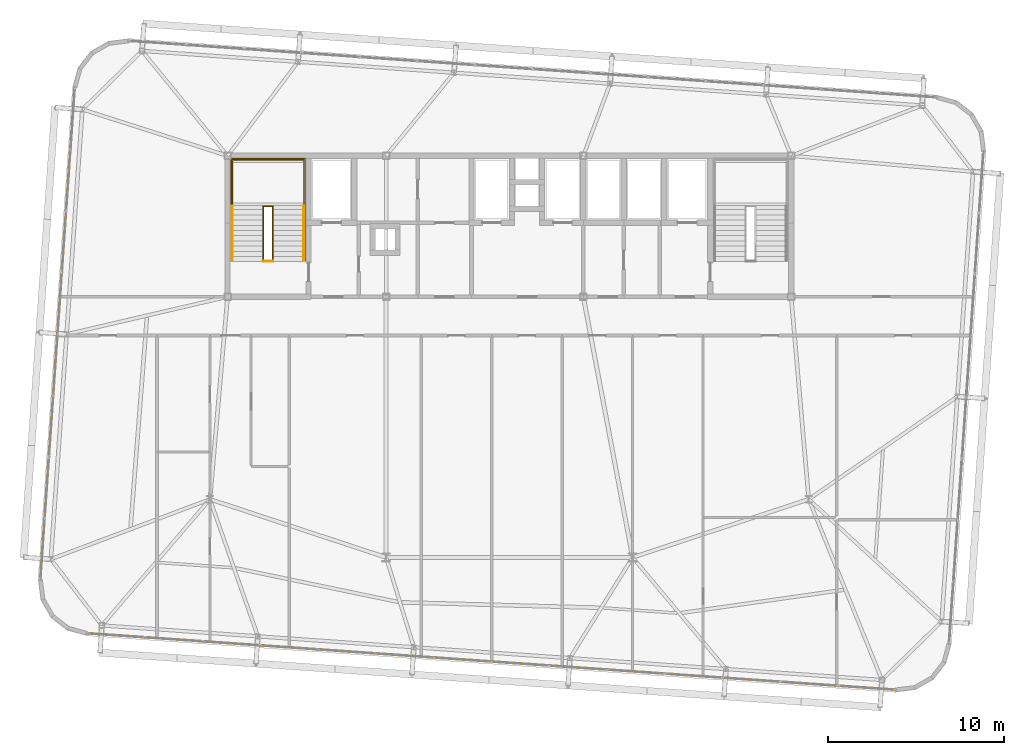
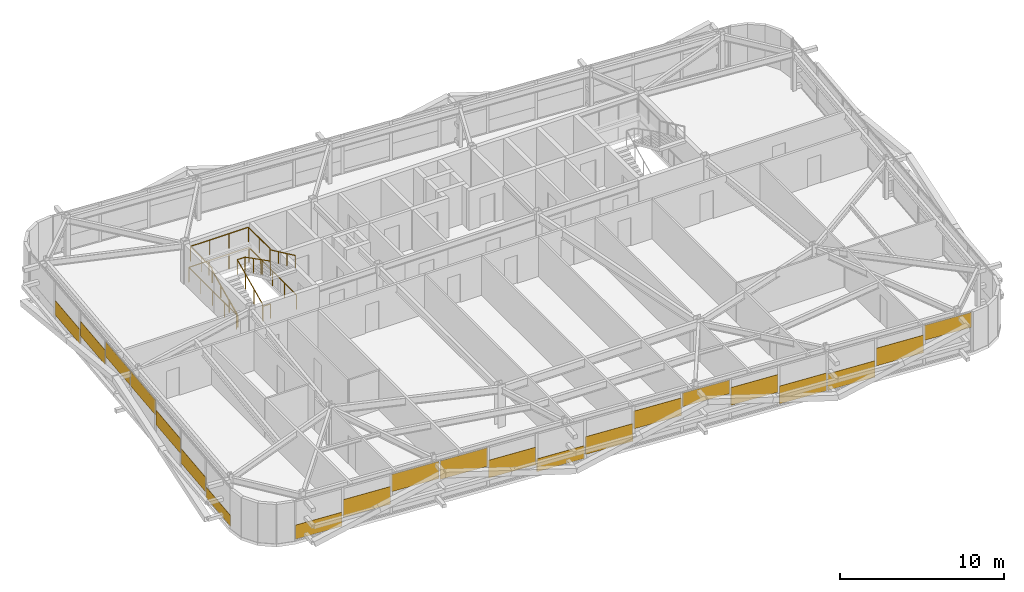
# One storey, part 45 of 47: 21 coverings, 6 railings.
"""IFC4 building model written with IfcOpenShell, lengths in metres."""

from ifc_helpers import new_model, si_unit, direction, frame, origin, origin_2d, place, context, subcontext, project, spatial, rectangle, extrude, source, transform, mapped, material, layer, layer_set, type_object, element, save


model = new_model("IFC4")

# Units and contexts
model_context = context("Model", 3, precision=1e-05, world=origin(), true_north=direction((0.0, 1.0)))
body_context = subcontext(model_context, "Body", "Model", "MODEL_VIEW")
ifc_project = project(units=[si_unit("LENGTHUNIT", "METRE"), si_unit("AREAUNIT", "SQUARE_METRE"), si_unit("VOLUMEUNIT", "CUBIC_METRE"), si_unit("PLANEANGLEUNIT", "RADIAN"), si_unit("MASSUNIT", "GRAM", prefix="KILO")], contexts=[model_context])

# Site, building, storey
site_placement = place(None, origin())
site = spatial("IfcSite", under=ifc_project, at=site_placement, CompositionType="ELEMENT")
building_placement = place(site_placement, origin())
building = spatial("IfcBuilding", under=site, at=building_placement, Name="Taldren Reach Tower", CompositionType="ELEMENT")
storey_placement = place(building_placement, frame((0.0, 0.0, 139.300048828125)))
storey = spatial("IfcBuildingStorey", under=building, at=storey_placement, Name="L42", CompositionType="ELEMENT", Elevation=139.300048828125)

# Railings
ifc_material_1 = material(Name="Steel Gr 350 (C350L0)", Category="steel")
ifc_layer_1 = layer(ifc_material_1, 0.050048828125)
ifc_layer_set_1 = layer_set([ifc_layer_1], Name="Steel Gr 350 (C350L0)")
railing_type_1 = type_object("IfcRailingType", Name="RL-STAIR-GR", PredefinedType="GUARDRAIL", material=ifc_layer_set_1)
railing_1_placement = place(storey_placement, frame((19.260009765625, 29.135009765625, 1.574951171875)))
element("IfcRailing", 1, at=railing_1_placement, inside=storey, type_object=railing_type_1, Name="Stair half-landing perimeter guard ST1-L42", PredefinedType="GUARDRAIL", context=body_context, shape_type="SweptSolid", body=[
    extrude(rectangle(XDim=0.047852, YDim=0.047852, at=origin_2d()), frame((0.0, 0.0, 1.09619140625), z_axis=(0.0, 1.0, 0.0), x_axis=(-1.0, 0.0, 0.0)), (0.0, 0.0, 1.0), 2.64501953125),
    extrude(rectangle(XDim=0.047852, YDim=0.047852, at=origin_2d()), frame((0.0, 2.64501953125, 1.09619140625), z_axis=(1.0, 0.0, 0.0), x_axis=(0.0, 1.0, 0.0)), (0.0, 0.0, 1.0), 4.080078125),
    extrude(rectangle(XDim=0.047852, YDim=0.047852, at=origin_2d()), frame((4.080078125, 2.64501953125, 1.09619140625), z_axis=(0.0, -1.0, 0.0), x_axis=(1.0, 0.0, 0.0)), (0.0, 0.0, 1.0), 2.64501953125),
    extrude(rectangle(XDim=0.041992, YDim=0.041992, at=origin_2d()), origin(), (0.0, 0.0, 1.0), 1.072021484375),
    extrude(rectangle(XDim=0.041992, YDim=0.041992, at=origin_2d()), frame((0.0, 1.322509765625, 0.0)), (0.0, 0.0, 1.0), 1.072021484375),
    extrude(rectangle(XDim=0.041992, YDim=0.041992, at=origin_2d()), frame((0.0, 2.64501953125, 0.0)), (0.0, 0.0, 1.0), 1.072021484375),
    extrude(rectangle(XDim=0.041992, YDim=0.041992, at=origin_2d()), frame((1.360107421875, 2.64501953125, 0.0)), (0.0, 0.0, 1.0), 1.072021484375),
    extrude(rectangle(XDim=0.041992, YDim=0.041992, at=origin_2d()), frame((2.719970703125, 2.64501953125, 0.0)), (0.0, 0.0, 1.0), 1.072021484375),
    extrude(rectangle(XDim=0.041992, YDim=0.041992, at=origin_2d()), frame((4.080078125, 2.64501953125, 0.0)), (0.0, 0.0, 1.0), 1.072021484375),
    extrude(rectangle(XDim=0.041992, YDim=0.041992, at=origin_2d()), frame((4.080078125, 1.322509765625, 0.0)), (0.0, 0.0, 1.0), 1.072021484375),
    extrude(rectangle(XDim=0.041992, YDim=0.041992, at=origin_2d()), frame((4.080078125, 0.0, 0.0)), (0.0, 0.0, 1.0), 1.072021484375),
])
railing_2_placement = place(storey_placement, frame((21.030029296875, 26.050048828125, 0.13134765625)))
element("IfcRailing", 2, at=railing_2_placement, inside=storey, type_object=railing_type_1, Name="Stairwell inner guard ST1-L42", PredefinedType="GUARDRAIL", context=body_context, shape_type="SweptSolid", body=[
    extrude(rectangle(XDim=0.047852, YDim=0.047852, at=origin_2d()), frame((0.0, 0.0, 1.09619140625), z_axis=(0.0, 0.905737652094, 0.423838773095), x_axis=(-1.0, 0.0, 0.0)), (0.0, 0.0, 1.0), 3.406005859375),
    extrude(rectangle(XDim=0.047852, YDim=0.047852, at=origin_2d()), frame((0.0, 3.0849609375, 2.53955078125), z_axis=(1.0, 0.0, 0.0), x_axis=(0.0, 1.0, 0.0)), (0.0, 0.0, 1.0), 0.5400390625),
    extrude(rectangle(XDim=0.047852, YDim=0.047852, at=origin_2d()), frame((0.5400390625, 3.0849609375, 2.53955078125), z_axis=(0.0, -0.890645957773, 0.45469745755), x_axis=(1.0, 0.0, 0.0)), (0.0, 0.0, 1.0), 3.463623046875),
    extrude(rectangle(XDim=0.041992, YDim=0.041992, at=origin_2d()), origin(), (0.0, 0.0, 1.0), 1.072021484375),
    extrude(rectangle(XDim=0.041992, YDim=0.041992, at=origin_2d()), frame((0.0, 1.0283203125, 0.481201171875)), (0.0, 0.0, 1.0), 1.072021484375),
    extrude(rectangle(XDim=0.041992, YDim=0.041992, at=origin_2d()), frame((0.0, 2.056640625, 0.96240234375)), (0.0, 0.0, 1.0), 1.072021484375),
    extrude(rectangle(XDim=0.041992, YDim=0.041992, at=origin_2d()), frame((0.0, 3.0849609375, 1.443603515625)), (0.0, 0.0, 1.0), 1.072021484375),
    extrude(rectangle(XDim=0.041992, YDim=0.041992, at=origin_2d()), frame((0.5400390625, 3.0849609375, 1.443603515625)), (0.0, 0.0, 1.0), 1.072021484375),
    extrude(rectangle(XDim=0.041992, YDim=0.041992, at=origin_2d()), frame((0.5400390625, 2.056640625, 1.968505859375)), (0.0, 0.0, 1.0), 1.072021484375),
    extrude(rectangle(XDim=0.041992, YDim=0.041992, at=origin_2d()), frame((0.5400390625, 1.0283203125, 2.49365234375)), (0.0, 0.0, 1.0), 1.072021484375),
    extrude(rectangle(XDim=0.041992, YDim=0.041992, at=origin_2d()), frame((0.5400390625, 0.0, 3.0185546875)), (0.0, 0.0, 1.0), 1.072021484375),
])
railing_3_placement = place(storey_placement, frame((21.030029296875, 26.010009765625, 0.0)))
element("IfcRailing", 3, at=railing_3_placement, inside=storey, type_object=railing_type_1, Name="Stairwell landing slot guard ST1-L42", PredefinedType="GUARDRAIL", context=body_context, shape_type="SweptSolid", body=[
    extrude(rectangle(XDim=0.047852, YDim=0.047852, at=origin_2d()), frame((0.0, 0.0, 1.09619140625), z_axis=(1.0, 0.0, 0.0), x_axis=(0.0, 1.0, 0.0)), (0.0, 0.0, 1.0), 0.5400390625),
    extrude(rectangle(XDim=0.041992, YDim=0.041992, at=origin_2d()), origin(), (0.0, 0.0, 1.0), 1.072021484375),
    extrude(rectangle(XDim=0.041992, YDim=0.041992, at=origin_2d()), frame((0.5400390625, 0.0, 0.0)), (0.0, 0.0, 1.0), 1.072021484375),
])
railing_4_placement = place(storey_placement, frame((19.18994140625, 26.050048828125, 0.0)))
element("IfcRailing", 4, at=railing_4_placement, inside=storey, type_object=railing_type_1, Name="Stairwell floor opening guard ST1-L42", PredefinedType="GUARDRAIL", context=body_context, shape_type="SweptSolid", body=[
    extrude(rectangle(XDim=0.047852, YDim=0.047852, at=origin_2d()), frame((0.0, 0.0, 1.09619140625), z_axis=(0.0, 1.0, 0.0), x_axis=(-1.0, 0.0, 0.0)), (0.0, 0.0, 1.0), 5.800048828125),
    extrude(rectangle(XDim=0.047852, YDim=0.047852, at=origin_2d()), frame((0.0, 5.800048828125, 1.09619140625), z_axis=(1.0, 0.0, 0.0), x_axis=(0.0, 1.0, 0.0)), (0.0, 0.0, 1.0), 4.219970703125),
    extrude(rectangle(XDim=0.047852, YDim=0.047852, at=origin_2d()), frame((4.219970703125, 5.800048828125, 1.09619140625), z_axis=(0.0, -1.0, 0.0), x_axis=(1.0, 0.0, 0.0)), (0.0, 0.0, 1.0), 5.800048828125),
    extrude(rectangle(XDim=0.041992, YDim=0.041992, at=origin_2d()), origin(), (0.0, 0.0, 1.0), 1.072021484375),
    extrude(rectangle(XDim=0.041992, YDim=0.041992, at=origin_2d()), frame((0.0, 1.449951171875, 0.0)), (0.0, 0.0, 1.0), 1.072021484375),
    extrude(rectangle(XDim=0.041992, YDim=0.041992, at=origin_2d()), frame((0.0, 2.89990234375, 0.0)), (0.0, 0.0, 1.0), 1.072021484375),
    extrude(rectangle(XDim=0.041992, YDim=0.041992, at=origin_2d()), frame((0.0, 4.35009765625, 0.0)), (0.0, 0.0, 1.0), 1.072021484375),
    extrude(rectangle(XDim=0.041992, YDim=0.041992, at=origin_2d()), frame((0.0, 5.800048828125, 0.0)), (0.0, 0.0, 1.0), 1.072021484375),
    extrude(rectangle(XDim=0.041992, YDim=0.041992, at=origin_2d()), frame((1.40673828125, 5.800048828125, 0.0)), (0.0, 0.0, 1.0), 1.072021484375),
    extrude(rectangle(XDim=0.041992, YDim=0.041992, at=origin_2d()), frame((2.813232421875, 5.800048828125, 0.0)), (0.0, 0.0, 1.0), 1.072021484375),
    extrude(rectangle(XDim=0.041992, YDim=0.041992, at=origin_2d()), frame((4.219970703125, 5.800048828125, 0.0)), (0.0, 0.0, 1.0), 1.072021484375),
    extrude(rectangle(XDim=0.041992, YDim=0.041992, at=origin_2d()), frame((4.219970703125, 4.35009765625, 0.0)), (0.0, 0.0, 1.0), 1.072021484375),
    extrude(rectangle(XDim=0.041992, YDim=0.041992, at=origin_2d()), frame((4.219970703125, 2.89990234375, 0.0)), (0.0, 0.0, 1.0), 1.072021484375),
    extrude(rectangle(XDim=0.041992, YDim=0.041992, at=origin_2d()), frame((4.219970703125, 1.449951171875, 0.0)), (0.0, 0.0, 1.0), 1.072021484375),
    extrude(rectangle(XDim=0.041992, YDim=0.041992, at=origin_2d()), frame((4.219970703125, 0.0, 0.0)), (0.0, 0.0, 1.0), 1.072021484375),
])
ifc_material_2 = material(Name="Stainless Steel Gr 316", Category="steel")
ifc_layer_2 = layer(ifc_material_2, 0.048095703125)
ifc_layer_set_2 = layer_set([ifc_layer_2], Name="Stainless Steel Gr 316")
railing_type_2 = type_object("IfcRailingType", Name="RL-STAIR-HR", PredefinedType="HANDRAIL", material=ifc_layer_set_2)
railing_5_placement = place(storey_placement, frame((19.27001953125, 26.050048828125, 0.13134765625)))
element("IfcRailing", 5, at=railing_5_placement, inside=storey, type_object=railing_type_2, Name="Stair flight handrail ST1-L42-1", PredefinedType="HANDRAIL", context=body_context, shape_type="SweptSolid", body=[
    extrude(rectangle(XDim=0.047852, YDim=0.047852, at=origin_2d()), frame((0.0, 0.0, 0.89599609375), z_axis=(0.0, 0.905737652094, 0.423838773095), x_axis=(-1.0, 0.0, 0.0)), (0.0, 0.0, 1.0), 3.406005859375),
    extrude(rectangle(XDim=0.041992, YDim=0.041992, at=origin_2d()), origin(), (0.0, 0.0, 1.0), 0.871826171875),
    extrude(rectangle(XDim=0.041992, YDim=0.041992, at=origin_2d()), frame((0.0, 1.0283203125, 0.481201171875)), (0.0, 0.0, 1.0), 0.871826171875),
    extrude(rectangle(XDim=0.041992, YDim=0.041992, at=origin_2d()), frame((0.0, 2.056640625, 0.96240234375)), (0.0, 0.0, 1.0), 0.871826171875),
    extrude(rectangle(XDim=0.041992, YDim=0.041992, at=origin_2d()), frame((0.0, 3.0849609375, 1.443603515625)), (0.0, 0.0, 1.0), 0.871826171875),
])
railing_6_placement = place(storey_placement, frame((23.330078125, 29.135009765625, 1.7060546875)))
element("IfcRailing", 6, at=railing_6_placement, inside=storey, type_object=railing_type_2, Name="Stair flight handrail ST1-L42-2", PredefinedType="HANDRAIL", context=body_context, shape_type="SweptSolid", body=[
    extrude(rectangle(XDim=0.047852, YDim=0.047852, at=origin_2d()), frame((0.0, 0.0, 0.89599609375), z_axis=(0.0, -0.905710134349, 0.423897573167), x_axis=(1.0, 0.0, 0.0)), (0.0, 0.0, 1.0), 3.406005859375),
    extrude(rectangle(XDim=0.041992, YDim=0.041992, at=origin_2d()), origin(), (0.0, 0.0, 1.0), 0.871826171875),
    extrude(rectangle(XDim=0.041992, YDim=0.041992, at=origin_2d()), frame((0.0, -1.0283203125, 0.481201171875)), (0.0, 0.0, 1.0), 0.871826171875),
    extrude(rectangle(XDim=0.041992, YDim=0.041992, at=origin_2d()), frame((0.0, -2.056640625, 0.962646484375)), (0.0, 0.0, 1.0), 0.871826171875),
    extrude(rectangle(XDim=0.041992, YDim=0.041992, at=origin_2d()), frame((0.0, -3.0849609375, 1.44384765625)), (0.0, 0.0, 1.0), 0.871826171875),
])

# Coverings
ifc_material_3 = material(Name="Pale Champagne Fluoropolymer Aluminium Spandrel Cladding", Category="aluminium")
ifc_layer_3 = layer(ifc_material_3, 0.0439453125)
ifc_layer_set_3 = layer_set([ifc_layer_3], Name="Pale Champagne Fluoropolymer Aluminium Spandrel Cladding")
covering_type = type_object("IfcCoveringType", Name="CV-CLAD-044", PredefinedType="CLADDING", material=ifc_layer_set_3)
shared_shape_1 = source(origin(), body_context, "Body", "SweptSolid", [
    extrude(rectangle(XDim=3.1806640625, YDim=0.0439453125, at=origin_2d()), origin(), (0.0, 0.0, 1.0), 1.05322265625),
])
covering_1_placement = place(storey_placement, frame((12.686279296875, 4.76953125, 0.054931640625), z_axis=(0.0, 0.0, 1.0), x_axis=(0.99756404731, -0.06975651593, 0.0)))
element("IfcCovering", 7, at=covering_1_placement, inside=storey, type_object=covering_type, Name="Diagrid closure cladding strip CW-4 panel 1.1 1", PredefinedType="CLADDING", context=body_context, shape_type="MappedRepresentation", body=[
    mapped(shared_shape_1, transform((0.0, 0.0, 0.0), scale=1.0)),
])
shared_shape_2 = source(origin(), body_context, "Body", "SweptSolid", [
    extrude(rectangle(XDim=3.2158203125, YDim=0.0439453125, at=origin_2d()), origin(), (0.0, 0.0, 1.0), 1.31494140625),
])
for number, where, z_axis, x_axis, name in (
    (8, (15.946533203125, 4.541748046875, 0.692138671875), (0.0, 0.0, 1.0), (0.99756404731, -0.06975651593, 0.0), "Diagrid closure cladding strip CW-4 panel 2.1 1"),
    (9, (25.779541015625, 3.85400390625, 0.59521484375), (0.0, 0.0, 1.0), (0.99756404731, -0.06975651593, 0.0), "Diagrid closure cladding strip CW-4 panel 5.1 1"),
    (10, (32.3349609375, 3.395751953125, 0.327880859375), (0.0, 0.0, 1.0), (0.99756404731, -0.06975651593, 0.0), "Diagrid closure cladding strip CW-4 panel 7.1 1"),
    (11, (35.61279296875, 3.16650390625, 1.22705078125), (0.0, 0.0, 1.0), (0.99756404731, -0.06975651593, 0.0), "Diagrid closure cladding strip CW-4 panel 8.1 1"),
    (12, (42.168212890625, 2.7080078125, 0.959716796875), (0.0, 0.0, 1.0), (0.99756404731, -0.06975651593, 0.0), "Diagrid closure cladding strip CW-4 panel 10.1 1"),
    (13, (52.001220703125, 2.0205078125, 0.86279296875), (0.0, 0.0, 1.0), (0.99756404731, -0.06975651593, 0.0), "Diagrid closure cladding strip CW-4 panel 13.1 1"),
):
    element("IfcCovering", number, at=place(storey_placement, frame(where, z_axis=z_axis, x_axis=x_axis)), inside=storey, type_object=covering_type, Name=name, PredefinedType="CLADDING", context=body_context, shape_type="MappedRepresentation", body=[
        mapped(shared_shape_2, transform((0.0, 0.0, 0.0), scale=1.0)),
    ])
shared_shape_3 = source(origin(), body_context, "Body", "SweptSolid", [
    extrude(rectangle(XDim=3.2158203125, YDim=0.0439453125, at=origin_2d()), origin(), (0.0, 0.0, 1.0), 1.28369140625),
])
covering_2_placement = place(storey_placement, frame((19.22412109375, 4.3125, 1.59130859375), z_axis=(0.0, 0.0, 1.0), x_axis=(0.99756404731, -0.06975651593, 0.0)))
element("IfcCovering", 14, at=covering_2_placement, inside=storey, type_object=covering_type, Name="Diagrid closure cladding strip CW-4 panel 3.1 1", PredefinedType="CLADDING", context=body_context, shape_type="MappedRepresentation", body=[
    mapped(shared_shape_3, transform((0.0, 0.0, 0.0), scale=1.0)),
])
shared_shape_4 = source(origin(), body_context, "Body", "SweptSolid", [
    extrude(rectangle(XDim=3.2158203125, YDim=0.0439453125, at=origin_2d()), origin(), (0.0, 0.0, 1.0), 1.380615234375),
])
covering_3_placement = place(storey_placement, frame((22.501953125, 4.083251953125, 1.494140625), z_axis=(0.0, 0.0, 1.0), x_axis=(0.99756404731, -0.06975651593, 0.0)))
element("IfcCovering", 15, at=covering_3_placement, inside=storey, type_object=covering_type, Name="Diagrid closure cladding strip CW-4 panel 4.1 1", PredefinedType="CLADDING", context=body_context, shape_type="MappedRepresentation", body=[
    mapped(shared_shape_4, transform((0.0, 0.0, 0.0), scale=1.0)),
])
shared_shape_5 = source(origin(), body_context, "Body", "SweptSolid", [
    extrude(rectangle(XDim=3.2158203125, YDim=0.0439453125, at=origin_2d()), origin(), (0.0, 0.0, 1.0), 0.956298828125),
])
covering_4_placement = place(storey_placement, frame((29.057373046875, 3.624755859375, 0.0546875), z_axis=(0.0, 0.0, 1.0), x_axis=(0.99756404731, -0.06975651593, 0.0)))
element("IfcCovering", 16, at=covering_4_placement, inside=storey, type_object=covering_type, Name="Diagrid closure cladding strip CW-4 panel 6.1 1", PredefinedType="CLADDING", context=body_context, shape_type="MappedRepresentation", body=[
    mapped(shared_shape_5, transform((0.0, 0.0, 0.0), scale=1.0)),
])
shared_shape_6 = source(origin(), body_context, "Body", "SweptSolid", [
    extrude(rectangle(XDim=3.2158203125, YDim=0.0439453125, at=origin_2d()), origin(), (0.0, 0.0, 1.0), 1.01611328125),
])
covering_5_placement = place(storey_placement, frame((38.890380859375, 2.937255859375, 1.85888671875), z_axis=(0.0, 0.0, 1.0), x_axis=(0.99756404731, -0.06975651593, 0.0)))
element("IfcCovering", 17, at=covering_5_placement, inside=storey, type_object=covering_type, Name="Diagrid closure cladding strip CW-4 panel 9.1 1", PredefinedType="CLADDING", context=body_context, shape_type="MappedRepresentation", body=[
    mapped(shared_shape_6, transform((0.0, 0.0, 0.0), scale=1.0)),
])
shared_shape_7 = source(origin(), body_context, "Body", "SweptSolid", [
    extrude(rectangle(XDim=3.2158203125, YDim=0.0439453125, at=origin_2d()), origin(), (0.0, 0.0, 1.0), 1.320556640625),
])
covering_6_placement = place(storey_placement, frame((45.44580078125, 2.478759765625, 0.05517578125), z_axis=(0.0, 0.0, 1.0), x_axis=(0.99756404731, -0.06975651593, 0.0)))
element("IfcCovering", 18, at=covering_6_placement, inside=storey, type_object=covering_type, Name="Diagrid closure cladding strip CW-4 panel 11.1 1", PredefinedType="CLADDING", context=body_context, shape_type="MappedRepresentation", body=[
    mapped(shared_shape_7, transform((0.0, 0.0, 0.0), scale=1.0)),
])
shared_shape_8 = source(origin(), body_context, "Body", "SweptSolid", [
    extrude(rectangle(XDim=3.2158203125, YDim=0.0439453125, at=origin_2d()), origin(), (0.0, 0.0, 1.0), 1.2236328125),
])
covering_7_placement = place(storey_placement, frame((48.7236328125, 2.249755859375, 0.054931640625), z_axis=(0.0, 0.0, 1.0), x_axis=(0.99756404731, -0.06975651593, 0.0)))
element("IfcCovering", 19, at=covering_7_placement, inside=storey, type_object=covering_type, Name="Diagrid closure cladding strip CW-4 panel 12.1 1", PredefinedType="CLADDING", context=body_context, shape_type="MappedRepresentation", body=[
    mapped(shared_shape_8, transform((0.0, 0.0, 0.0), scale=1.0)),
])
shared_shape_9 = source(origin(), body_context, "Body", "SweptSolid", [
    extrude(rectangle(XDim=3.1806640625, YDim=0.0439453125, at=origin_2d()), origin(), (0.0, 0.0, 1.0), 1.11328125),
])
covering_8_placement = place(storey_placement, frame((55.261474609375, 1.79248046875, 1.76171875), z_axis=(0.0, 0.0, 1.0), x_axis=(0.99756404731, -0.06975651593, 0.0)))
element("IfcCovering", 20, at=covering_8_placement, inside=storey, type_object=covering_type, Name="Diagrid closure cladding strip CW-4 panel 14.1 1", PredefinedType="CLADDING", context=body_context, shape_type="MappedRepresentation", body=[
    mapped(shared_shape_9, transform((0.0, 0.0, 0.0), scale=1.0)),
])
shared_shape_10 = source(origin(), body_context, "Body", "SweptSolid", [
    extrude(rectangle(XDim=3.39501953125, YDim=0.0439453125, at=origin_2d()), origin(), (0.0, 0.0, 1.0), 0.80859375),
])
covering_9_placement = place(storey_placement, frame((8.499755859375, 9.701171875, 0.054931640625), z_axis=(0.0, 0.0, 1.0), x_axis=(-0.069756437251, -0.997564052812, 0.0)))
element("IfcCovering", 21, at=covering_9_placement, inside=storey, type_object=covering_type, Name="Diagrid closure cladding strip CW-4 panel 8.1 1", PredefinedType="CLADDING", context=body_context, shape_type="MappedRepresentation", body=[
    mapped(shared_shape_10, transform((0.0, 0.0, 0.0), scale=1.0)),
])
shared_shape_11 = source(origin(), body_context, "Body", "SweptSolid", [
    extrude(rectangle(XDim=3.429931640625, YDim=0.0439453125, at=origin_2d()), origin(), (0.0, 0.0, 1.0), 1.078369140625),
])
for number, where, z_axis, x_axis, name in (
    (22, (9.96337890625, 30.632568359375, 0.44970703125), (0.0, 0.0, 1.0), (-0.069756437251, -0.997564052812, 0.0), "Diagrid closure cladding strip CW-4 panel 2.1 1"),
    (23, (9.71923828125, 27.14111328125, 1.1142578125), (0.0, 0.0, 1.0), (-0.069756437251, -0.997564052812, 0.0), "Diagrid closure cladding strip CW-4 panel 3.1 1"),
    (24, (8.98681640625, 16.666748046875, 1.1142578125), (0.0, 0.0, 1.0), (-0.069756437251, -0.997564052812, 0.0), "Diagrid closure cladding strip CW-4 panel 6.1 1"),
    (25, (8.74267578125, 13.17529296875, 0.44970703125), (0.0, 0.0, 1.0), (-0.069756437251, -0.997564052812, 0.0), "Diagrid closure cladding strip CW-4 panel 7.1 1"),
):
    element("IfcCovering", number, at=place(storey_placement, frame(where, z_axis=z_axis, x_axis=x_axis)), inside=storey, type_object=covering_type, Name=name, PredefinedType="CLADDING", context=body_context, shape_type="MappedRepresentation", body=[
        mapped(shared_shape_11, transform((0.0, 0.0, 0.0), scale=1.0)),
    ])
shared_shape_12 = source(origin(), body_context, "Body", "SweptSolid", [
    extrude(rectangle(XDim=3.429931640625, YDim=0.0439453125, at=origin_2d()), origin(), (0.0, 0.0, 1.0), 1.096435546875),
])
for number, where, z_axis, x_axis, name in (
    (26, (9.47509765625, 23.649658203125, 1.7783203125), (0.0, 0.0, 1.0), (-0.069756437251, -0.997564052812, 0.0), "Diagrid closure cladding strip CW-4 panel 4.1 1"),
    (27, (9.23095703125, 20.158203125, 1.7783203125), (0.0, 0.0, 1.0), (-0.069756437251, -0.997564052812, 0.0), "Diagrid closure cladding strip CW-4 panel 5.1 1"),
):
    element("IfcCovering", number, at=place(storey_placement, frame(where, z_axis=z_axis, x_axis=x_axis)), inside=storey, type_object=covering_type, Name=name, PredefinedType="CLADDING", context=body_context, shape_type="MappedRepresentation", body=[
        mapped(shared_shape_12, transform((0.0, 0.0, 0.0), scale=1.0)),
    ])

save(model, "model.ifc")
